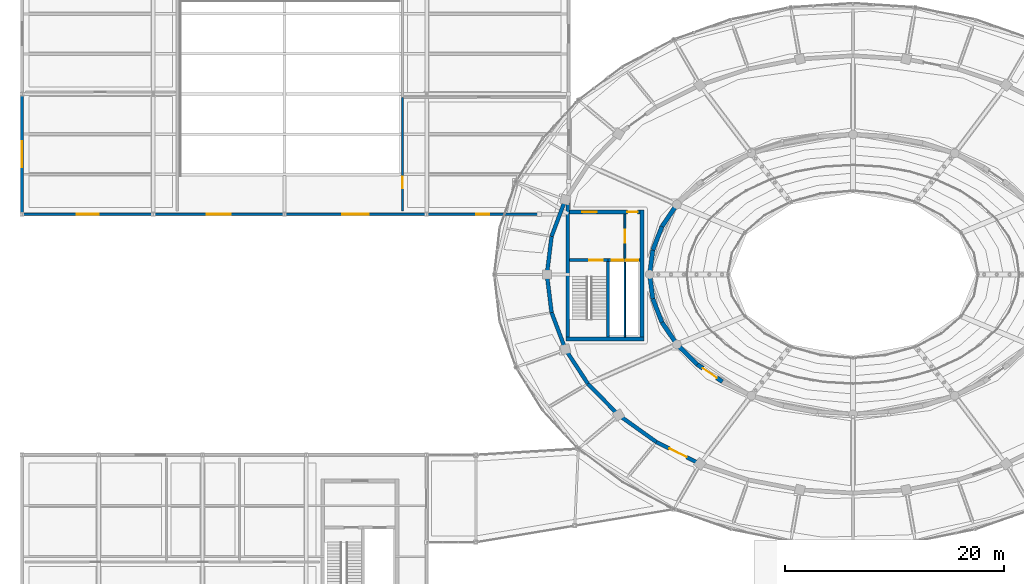
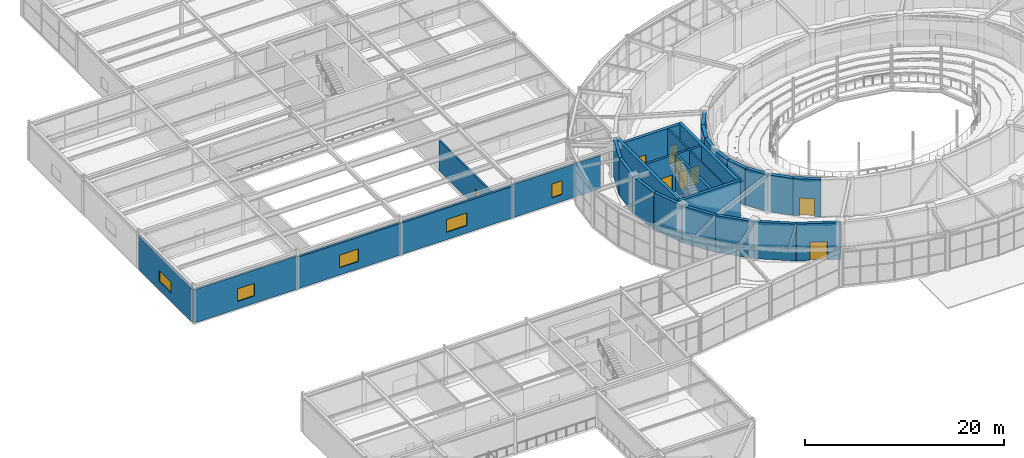
# One storey, part 78 of 100: 31 walls, 9 doors, 5 windows, 14 openings.
"""IFC4 building model written with IfcOpenShell, lengths in metres."""

import ifcopenshell
import ifcopenshell.guid

model = None  # the IFC model being written
_history = None  # IfcOwnerHistory: only IFC2X3 demands one
_inside = {}  # id of a spatial element -> (the spatial element, [elements in it])
_under = {}  # id of a project, library or spatial element -> (it, [spatial elements below it])
_declared = {}  # id of a project -> (the project, [libraries it declares])
_typed = {}  # id of a type object -> (the type object, [elements of that type])
_made_of = {}  # id of a material, layer set ... -> (it, [elements and type objects made of it])


def new_model(schema):
    """Start an empty IFC model of exactly this schema.

    Asked for "IFC4X3", IfcOpenShell would pick the latest addendum, in which some entities
    have other attributes; the version numbers below select the first issue.
    IFC2X3 requires an IfcOwnerHistory on every rooted entity: one is made here for all.
    """
    global model, _history
    if schema == "IFC4X3":
        model = ifcopenshell.file(schema_version=(4, 3, 0, 0))
    else:
        model = ifcopenshell.file(schema=schema)
    _inside.clear()
    _under.clear()
    _declared.clear()
    _typed.clear()
    _made_of.clear()
    _history = None
    if model.schema == "IFC2X3":
        org = make("IfcOrganization", Name="unknown")
        user = make(
            "IfcPersonAndOrganization",
            ThePerson=make("IfcPerson", FamilyName="unknown"),
            TheOrganization=org,
        )
        app = make(
            "IfcApplication",
            ApplicationDeveloper=org,
            Version="unknown",
            ApplicationFullName="unknown",
            ApplicationIdentifier="unknown",
        )
        _history = make(
            "IfcOwnerHistory",
            OwningUser=user,
            OwningApplication=app,
            ChangeAction="ADDED",
            CreationDate=0,
        )
    return model


def make(cls, **values):
    """One entity of the class cls with the attributes given. An attribute that is None is left unset."""
    return model.create_entity(
        cls, **{name: value for name, value in values.items() if value is not None}
    )


def rooted(cls, **values):
    """An entity with a GlobalId (a new one), such as an element, a storey or a relation."""
    return make(cls, GlobalId=ifcopenshell.guid.new(), OwnerHistory=_history, **values)


def si_unit(unit_type, name, prefix=None):
    """IfcSIUnit, for example si_unit("LENGTHUNIT", "METRE", prefix="MILLI")."""
    return make("IfcSIUnit", UnitType=unit_type, Prefix=prefix, Name=name)


def assignment(units):
    """IfcUnitAssignment: the units of a project."""
    return None if units is None else make("IfcUnitAssignment", Units=units)


def point(xyz):
    """IfcCartesianPoint."""
    return None if xyz is None else make("IfcCartesianPoint", Coordinates=xyz)


def direction(xyz):
    """IfcDirection."""
    return None if xyz is None else make("IfcDirection", DirectionRatios=xyz)


def frame(location, z_axis=None, x_axis=None):
    """IfcAxis2Placement3D, a coordinate frame: its origin and axes. An axis left out is left unset."""
    return make(
        "IfcAxis2Placement3D",
        Location=point(location),
        Axis=direction(z_axis),
        RefDirection=direction(x_axis),
    )


def frame_2d(location, x_axis=None):
    """IfcAxis2Placement2D, a coordinate frame in the plane: its origin and x axis."""
    return make(
        "IfcAxis2Placement2D", Location=point(location), RefDirection=direction(x_axis)
    )


def origin():
    """The frame at (0, 0, 0) with its axes left unset."""
    return frame((0.0, 0.0, 0.0))


def place(relative_to, where):
    """IfcLocalPlacement: puts the frame where relative to a parent placement (None: the world)."""
    return make(
        "IfcLocalPlacement", PlacementRelTo=relative_to, RelativePlacement=where
    )


def context(
    kind, dimensions, precision=None, world=None, true_north=None, identifier=None
):
    """IfcGeometricRepresentationContext, for example the 3D "Model" context."""
    return make(
        "IfcGeometricRepresentationContext",
        ContextIdentifier=identifier,
        ContextType=kind,
        CoordinateSpaceDimension=dimensions,
        Precision=precision,
        WorldCoordinateSystem=world,
        TrueNorth=true_north,
    )


def subcontext(parent, identifier, kind, view, scale=None):
    """IfcGeometricRepresentationSubContext, for example "Body" below "Model"."""
    return make(
        "IfcGeometricRepresentationSubContext",
        ContextIdentifier=identifier,
        ContextType=kind,
        ParentContext=parent,
        TargetScale=scale,
        TargetView=view,
    )


def project(units=None, contexts=None):
    """IfcProject with its units and contexts."""
    return rooted(
        "IfcProject",
        Name="project",
        RepresentationContexts=contexts,
        UnitsInContext=assignment(units),
    )


def spatial(cls, under=None, at=None, **own):
    """A site, building, storey or space (cls), placed at a placement, below another one or the project."""
    s = rooted(cls, ObjectPlacement=at, **own)
    if under is not None:
        _under.setdefault(under.id(), (under, []))[1].append(s)
    return s


def profile(cls, at=None, kind="AREA", **sizes):
    """A parametric profile (cls). Its sizes go by their IFC names, for example OverallWidth=200.0."""
    return make(cls, ProfileType=kind, Position=at, **sizes)


def rectangle(**sizes):
    """IfcRectangleProfileDef."""
    return profile("IfcRectangleProfileDef", **sizes)


def extrude(swept, where, along, depth):
    """IfcExtrudedAreaSolid: the profile swept, set in the frame where, extruded along a direction by depth."""
    return make(
        "IfcExtrudedAreaSolid",
        SweptArea=swept,
        Position=where,
        ExtrudedDirection=direction(along),
        Depth=depth,
    )


def shape(context_of_items, identifier, shape_type, items):
    """IfcShapeRepresentation: the items that make up one representation, for example the "Body"."""
    return make(
        "IfcShapeRepresentation",
        ContextOfItems=context_of_items,
        RepresentationIdentifier=identifier,
        RepresentationType=shape_type,
        Items=items,
    )


def material(Name=None, Category=None):
    """IfcMaterial."""
    return make("IfcMaterial", Name=Name, Category=Category)


def layer(
    of_material, thickness, ventilated=None, Name=None, Category=None, Priority=None
):
    """IfcMaterialLayer: one layer of a wall or slab, of a material (None: an air gap)."""
    return make(
        "IfcMaterialLayer",
        Material=of_material,
        LayerThickness=thickness,
        IsVentilated=ventilated,
        Name=Name,
        Category=Category,
        Priority=Priority,
    )


def layer_set(layers, Name=None):
    """IfcMaterialLayerSet."""
    return make("IfcMaterialLayerSet", MaterialLayers=layers, LayerSetName=Name)


def made_of(thing, what):
    """Note that an element or type object is made of a material, layer set ...; save() writes the relation."""
    if what is not None:
        _made_of.setdefault(what.id(), (what, []))[1].append(thing)
    return thing


def type_object(cls, material=None, **own):
    """A type object (cls), such as IfcWallType, which elements share."""
    return made_of(rooted(cls, **own), material)


def element(
    cls,
    number,
    at=None,
    inside=None,
    cuts=None,
    type_object=None,
    material=None,
    context=None,
    identifier="Body",
    shape_type=None,
    held_by="IfcProductDefinitionShape",
    body=None,
    shapes=None,
    **own,
):
    """One element of the class cls, such as IfcWall. Its Tag is "e" and its number.

    at: its placement. inside: the storey or other place that contains it. cuts: it is an
    opening in that element (IfcRelVoidsElement). A single representation is given by context,
    identifier, shape_type and body (its items); several are given by shapes. held_by: the class
    of the entity that holds the representations. save() writes the other relations.
    """
    e = rooted(cls, Tag="e%d" % number, ObjectPlacement=at, **own)
    if body is not None:
        shapes = [shape(context, identifier, shape_type, body)]
    if shapes is not None:
        e.Representation = make(held_by, Representations=shapes)
    if inside is not None:
        _inside.setdefault(inside.id(), (inside, []))[1].append(e)
    if cuts is not None:
        rooted(
            "IfcRelVoidsElement", RelatingBuildingElement=cuts, RelatedOpeningElement=e
        )
    if type_object is not None:
        _typed.setdefault(type_object.id(), (type_object, []))[1].append(e)
    return made_of(e, material)


def fill(opening, filler):
    """IfcRelFillsElement: the door or window that sits in an opening."""
    return rooted(
        "IfcRelFillsElement",
        RelatingOpeningElement=opening,
        RelatedBuildingElement=filler,
    )


def aggregate(whole, parts):
    """IfcRelAggregates: a whole, such as a stair, and the parts it consists of."""
    return rooted("IfcRelAggregates", RelatingObject=whole, RelatedObjects=parts)


def save(model, path):
    """Write the relations noted so far, then the file.

    IfcRelAggregates (storeys below a building ...), IfcRelContainedInSpatialStructure (elements
    in a storey), IfcRelDefinesByType, IfcRelAssociatesMaterial and IfcRelDeclares: one each for
    every whole, place, type object, material and project.
    """
    for whole, parts in _under.values():
        aggregate(whole, parts)
    for where, things in _inside.values():
        rooted(
            "IfcRelContainedInSpatialStructure",
            RelatedElements=things,
            RelatingStructure=where,
        )
    for kind, things in _typed.values():
        rooted("IfcRelDefinesByType", RelatedObjects=things, RelatingType=kind)
    for what, things in _made_of.values():
        rooted("IfcRelAssociatesMaterial", RelatedObjects=things, RelatingMaterial=what)
    for by, libraries in _declared.values():
        rooted("IfcRelDeclares", RelatingContext=by, RelatedDefinitions=libraries)
    model.write(path)


model = new_model("IFC4")

# Units and contexts
model_context = context("Model", 3, precision=1e-05, world=origin(), true_north=direction((0.0, 1.0)))
body_context = subcontext(model_context, "Body", "Model", "MODEL_VIEW")
ifc_project = project(units=[si_unit("LENGTHUNIT", "METRE"), si_unit("AREAUNIT", "SQUARE_METRE"), si_unit("VOLUMEUNIT", "CUBIC_METRE"), si_unit("PLANEANGLEUNIT", "RADIAN"), si_unit("MASSUNIT", "GRAM", prefix="KILO")], contexts=[model_context])

# Site, building, storey
site_placement = place(None, origin())
site = spatial("IfcSite", under=ifc_project, at=site_placement, CompositionType="ELEMENT")
building_placement = place(site_placement, origin())
building = spatial("IfcBuilding", under=site, at=building_placement, Name="Tarnveldt Headland Concert Hall", CompositionType="ELEMENT")
storey_placement = place(building_placement, frame((0.0, 0.0, 4.800048828125)))
storey = spatial("IfcBuildingStorey", under=building, at=storey_placement, Name="L01", CompositionType="ELEMENT", Elevation=4.800048828125)

# Walls
ifc_material_1 = material(Name="Concrete C40/50", Category="concrete")
ifc_layer_1 = layer(ifc_material_1, 0.39990234375, Name="Concrete C40/50", Category="concrete")
ifc_layer_set_1 = layer_set([ifc_layer_1], Name="Concrete C40/50")
wall_type_1 = type_object("IfcWallType", Name="WL-AC400", PredefinedType="SOLIDWALL", material=ifc_layer_set_1)
wall_1_placement = place(storey_placement, frame((67.391845703125, 60.89990234375, 0.0), z_axis=(0.0, 0.0, 1.0), x_axis=(-0.560958648975, -0.827843822312, 0.0)))
element("IfcWall", 1, at=wall_1_placement, inside=storey, type_object=wall_type_1, Name="Acoustic inner box wall L01-16", PredefinedType="SOLIDWALL", context=body_context, shape_type="SweptSolid", body=[
    extrude(rectangle(XDim=2.4423828125, YDim=0.39990234375, at=frame_2d((1.22119140625, 0.0))), origin(), (0.0, 0.0, 1.0), 4.5400390625),
])
wall_2_placement = place(storey_placement, frame((66.021728515625, 58.8779296875, 0.0), z_axis=(0.0, 0.0, 1.0), x_axis=(-0.362802811216, -0.931865934657, 0.0)))
element("IfcWall", 2, at=wall_2_placement, inside=storey, type_object=wall_type_1, Name="Acoustic inner box wall L01-17", PredefinedType="SOLIDWALL", context=body_context, shape_type="SweptSolid", body=[
    extrude(rectangle(XDim=2.312744140625, YDim=0.39990234375, at=frame_2d((1.15625, 0.0))), origin(), (0.0, 0.0, 1.0), 4.5400390625),
])
for number, where, z_axis, x_axis, name in (
    (3, (65.1826171875, 56.72265625, 0.0), (0.0, 0.0, 1.0), (-0.126180195213, -0.992007337844, 0.0), "Acoustic inner box wall L01-18"),
    (4, (64.89990234375, 54.5, 0.0), (0.0, 0.0, 1.0), (0.126180195213, -0.992007337844, 0.0), "Acoustic inner box wall L01-19"),
):
    element("IfcWall", number, at=place(storey_placement, frame(where, z_axis=z_axis, x_axis=x_axis)), inside=storey, type_object=wall_type_1, Name=name, PredefinedType="SOLIDWALL", context=body_context, shape_type="SweptSolid", body=[
        extrude(rectangle(XDim=2.240478515625, YDim=0.39990234375, at=frame_2d((1.1201171875, 0.0))), origin(), (0.0, 0.0, 1.0), 4.5400390625),
    ])
wall_3_placement = place(storey_placement, frame((65.1826171875, 52.27734375, 0.0), z_axis=(0.0, 0.0, 1.0), x_axis=(0.362802811216, -0.931865934657, 0.0)))
element("IfcWall", 5, at=wall_3_placement, inside=storey, type_object=wall_type_1, Name="Acoustic inner box wall L01-20", PredefinedType="SOLIDWALL", context=body_context, shape_type="SweptSolid", body=[
    extrude(rectangle(XDim=2.312744140625, YDim=0.39990234375, at=frame_2d((1.15625, 0.0))), origin(), (0.0, 0.0, 1.0), 4.5400390625),
])
wall_4_placement = place(storey_placement, frame((66.021728515625, 50.1220703125, 0.0), z_axis=(0.0, 0.0, 1.0), x_axis=(0.560958648975, -0.827843822312, 0.0)))
element("IfcWall", 6, at=wall_4_placement, inside=storey, type_object=wall_type_1, Name="Acoustic inner box wall L01-21", PredefinedType="SOLIDWALL", context=body_context, shape_type="SweptSolid", body=[
    extrude(rectangle(XDim=2.4423828125, YDim=0.39990234375, at=frame_2d((1.22119140625, 0.0))), origin(), (0.0, 0.0, 1.0), 4.5400390625),
])
wall_5_placement = place(storey_placement, frame((67.391845703125, 48.10009765625, 0.0), z_axis=(0.0, 0.0, 1.0), x_axis=(0.713212431679, -0.700947949065, 0.0)))
element("IfcWall", 7, at=wall_5_placement, inside=storey, type_object=wall_type_1, Name="Acoustic inner box wall L01-22", PredefinedType="SOLIDWALL", context=body_context, shape_type="SweptSolid", body=[
    extrude(rectangle(XDim=2.607666015625, YDim=0.39990234375, at=frame_2d((1.3037109375, 0.0))), origin(), (0.0, 0.0, 1.0), 4.5400390625),
])

# Wall, opening, door
wall_6_placement = place(storey_placement, frame((69.251708984375, 46.272216796875, 0.0), z_axis=(0.0, 0.0, 1.0), x_axis=(0.823780742291, -0.566908536388, 0.0)))
wall_6 = element("IfcWall", 8, at=wall_6_placement, inside=storey, type_object=wall_type_1, Name="Acoustic inner box wall L01-23", PredefinedType="SOLIDWALL", context=body_context, shape_type="SweptSolid", body=[
    extrude(rectangle(XDim=2.782958984375, YDim=0.39990234375, at=frame_2d((1.3916015625, 0.0))), origin(), (0.0, 0.0, 1.0), 4.5400390625),
])
opening_1_placement = place(wall_6_placement, frame((0.616455078125, 0.0, 0.0)))
opening_1 = element("IfcOpeningElement", 9, at=opening_1_placement, cuts=wall_6, Name="Opening AD-I035", PredefinedType="OPENING", context=body_context, shape_type="SweptSolid", body=[
    extrude(rectangle(XDim=1.550048828125, YDim=2.179931640625, at=frame_2d((0.77490234375, 1.08984375))), frame((0.0, 0.2099609375, 0.0), z_axis=(0.0, -1.0, 0.0), x_axis=(1.0, 0.0, 0.0)), (0.0, 0.0, 1.0), 0.419921875),
])
ifc_material_2 = material(Name="Treated East African mvule hardwood", Category="wood")
door_type_1 = type_object("IfcDoorType", Name="DR-AC155", OperationType="NOTDEFINED", PredefinedType="DOOR", material=ifc_material_2)
door_1_placement = place(opening_1_placement, origin())
door_1 = element("IfcDoor", 10, at=door_1_placement, inside=storey, type_object=door_type_1, Name="Auditorium sound-lock vomitory door L01-23", OperationType="SINGLE_SWING_LEFT", OverallHeight=2.179931640625, OverallWidth=1.550048828125, PredefinedType="DOOR", context=body_context, shape_type="SweptSolid", body=[
    extrude(rectangle(XDim=1.550048828125, YDim=2.179931640625, at=frame_2d((0.77490234375, 1.08984375))), frame((0.0, 0.02490234375, 0.0), z_axis=(0.0, -1.0, 0.0), x_axis=(1.0, 0.0, 0.0)), (0.0, 0.0, 1.0), 0.050048828125),
])
fill(opening_1, door_1)

# Walls
ifc_layer_2 = layer(ifc_material_1, 0.35009765625, Name="Concrete C40/50", Category="concrete")
ifc_layer_set_2 = layer_set([ifc_layer_2], Name="Concrete C40/50")
wall_type_2 = type_object("IfcWallType", Name="WL-CR350", PredefinedType="SHEAR", material=ifc_layer_set_2)
wall_7_placement = place(storey_placement, frame((57.188720703125, 61.34033203125, 0.0), z_axis=(0.0, 0.0, 1.0), x_axis=(-0.351279653979, -0.936270583058, 0.0)))
element("IfcWall", 11, at=wall_7_placement, inside=storey, type_object=wall_type_2, Name="Symphony drum shear wall L01-17", PredefinedType="SHEAR", context=body_context, shape_type="SweptSolid", body=[
    extrude(rectangle(XDim=3.5966796875, YDim=0.35009765625, at=frame_2d((1.79833984375, 0.0))), origin(), (0.0, 0.0, 1.0), 4.5400390625),
])
for number, where, z_axis, x_axis, name in (
    (12, (55.92529296875, 57.972900390625, 0.0), (0.0, 0.0, 1.0), (-0.121552414401, -0.99258501427, 0.0), "Symphony drum shear wall L01-18"),
    (13, (55.5, 54.5, 0.0), (0.0, 0.0, 1.0), (0.121552414401, -0.99258501427, 0.0), "Symphony drum shear wall L01-19"),
):
    element("IfcWall", number, at=place(storey_placement, frame(where, z_axis=z_axis, x_axis=x_axis)), inside=storey, type_object=wall_type_2, Name=name, PredefinedType="SHEAR", context=body_context, shape_type="SweptSolid", body=[
        extrude(rectangle(XDim=3.498779296875, YDim=0.35009765625, at=frame_2d((1.74951171875, 0.0))), origin(), (0.0, 0.0, 1.0), 4.5400390625),
    ])
wall_8_placement = place(storey_placement, frame((55.92529296875, 51.027099609375, 0.0), z_axis=(0.0, 0.0, 1.0), x_axis=(0.351279653979, -0.936270583058, 0.0)))
element("IfcWall", 14, at=wall_8_placement, inside=storey, type_object=wall_type_2, Name="Symphony drum shear wall L01-20", PredefinedType="SHEAR", context=body_context, shape_type="SweptSolid", body=[
    extrude(rectangle(XDim=3.5966796875, YDim=0.35009765625, at=frame_2d((1.79833984375, 0.0))), origin(), (0.0, 0.0, 1.0), 4.5400390625),
])
wall_9_placement = place(storey_placement, frame((57.188720703125, 47.65966796875, 0.0), z_axis=(0.0, 0.0, 1.0), x_axis=(0.546611158382, -0.837386554425, 0.0)))
element("IfcWall", 15, at=wall_9_placement, inside=storey, type_object=wall_type_2, Name="Symphony drum shear wall L01-21", PredefinedType="SHEAR", context=body_context, shape_type="SweptSolid", body=[
    extrude(rectangle(XDim=3.773193359375, YDim=0.35009765625, at=frame_2d((1.88671875, 0.0))), origin(), (0.0, 0.0, 1.0), 4.5400390625),
])
wall_10_placement = place(storey_placement, frame((59.251220703125, 44.5, 0.0), z_axis=(0.0, 0.0, 1.0), x_axis=(0.700051268358, -0.714092586203, 0.0)))
element("IfcWall", 16, at=wall_10_placement, inside=storey, type_object=wall_type_2, Name="Symphony drum shear wall L01-22", PredefinedType="SHEAR", context=body_context, shape_type="SweptSolid", body=[
    extrude(rectangle(XDim=3.9990234375, YDim=0.35009765625, at=frame_2d((1.99951171875, 0.0))), origin(), (0.0, 0.0, 1.0), 4.5400390625),
])
wall_11_placement = place(storey_placement, frame((62.05078125, 41.644287109375, 0.0), z_axis=(0.0, 0.0, 1.0), x_axis=(0.813737360708, -0.581232748378, 0.0)))
element("IfcWall", 17, at=wall_11_placement, inside=storey, type_object=wall_type_2, Name="Symphony drum shear wall L01-23", PredefinedType="SHEAR", context=body_context, shape_type="SweptSolid", body=[
    extrude(rectangle(XDim=4.2412109375, YDim=0.35009765625, at=frame_2d((2.12060546875, 0.0))), origin(), (0.0, 0.0, 1.0), 4.5400390625),
])

# Wall, opening, door
wall_12_placement = place(storey_placement, frame((65.501953125, 39.17919921875, 0.0), z_axis=(0.0, 0.0, 1.0), x_axis=(0.894361644392, -0.447344664705, 0.0)))
wall_12 = element("IfcWall", 18, at=wall_12_placement, inside=storey, type_object=wall_type_2, Name="Symphony drum shear wall L01-24", PredefinedType="SHEAR", context=body_context, shape_type="SweptSolid", body=[
    extrude(rectangle(XDim=4.47021484375, YDim=0.35009765625, at=frame_2d((2.235107421875, 0.0))), origin(), (0.0, 0.0, 1.0), 4.5400390625),
])
opening_2_placement = place(wall_12_placement, frame((1.360107421875, 0.0, 0.0)))
opening_2 = element("IfcOpeningElement", 19, at=opening_2_placement, cuts=wall_12, Name="Opening AD-O016", PredefinedType="OPENING", context=body_context, shape_type="SweptSolid", body=[
    extrude(rectangle(XDim=1.75, YDim=2.25, at=frame_2d((0.875, 1.125))), frame((0.0, 0.18505859375, 0.0), z_axis=(0.0, -1.0, 0.0), x_axis=(1.0, 0.0, 0.0)), (0.0, 0.0, 1.0), 0.3701171875),
])
door_type_2 = type_object("IfcDoorType", Name="DR-AC175", OperationType="NOTDEFINED", PredefinedType="DOOR", material=ifc_material_2)
door_2_placement = place(opening_2_placement, origin())
door_2 = element("IfcDoor", 20, at=door_2_placement, inside=storey, type_object=door_type_2, Name="Drum concourse acoustic door L01-24", OperationType="SINGLE_SWING_RIGHT", OverallHeight=2.25, OverallWidth=1.75, PredefinedType="DOOR", context=body_context, shape_type="SweptSolid", body=[
    extrude(rectangle(XDim=1.75, YDim=2.25, at=frame_2d((0.875, 1.125))), frame((0.0, 0.02490234375, 0.0), z_axis=(0.0, -1.0, 0.0), x_axis=(1.0, 0.0, 0.0)), (0.0, 0.0, 1.0), 0.050048828125),
])
fill(opening_2, door_2)

# Wall
wall_13_placement = place(storey_placement, frame((57.22509765625, 48.60009765625, 0.0), z_axis=(0.0, 0.0, 1.0), x_axis=(1.0, 0.0, 0.0)))
element("IfcWall", 21, at=wall_13_placement, inside=storey, type_object=wall_type_2, Name="Core C1 south shear wall L01", PredefinedType="SHEAR", context=body_context, shape_type="SweptSolid", body=[
    extrude(rectangle(XDim=7.14990234375, YDim=0.35009765625, at=frame_2d((3.574951171875, 0.0))), origin(), (0.0, 0.0, 1.0), 4.5400390625),
])

# Wall, openings, doors
wall_14_placement = place(storey_placement, frame((57.574951171875, 60.199951171875, 0.0), z_axis=(0.0, 0.0, 1.0), x_axis=(1.0, 0.0, 0.0)))
wall_14 = element("IfcWall", 22, at=wall_14_placement, inside=storey, type_object=wall_type_2, Name="Core C1 north shear wall L01", PredefinedType="SHEAR", context=body_context, shape_type="SweptSolid", body=[
    extrude(rectangle(XDim=6.449951171875, YDim=0.35009765625, at=frame_2d((3.22509765625, 0.0))), origin(), (0.0, 0.0, 1.0), 4.5400390625),
])
opening_3_placement = place(wall_14_placement, frame((1.14990234375, 0.0, 0.0)))
opening_3 = element("IfcOpeningElement", 23, at=opening_3_placement, cuts=wall_14, Name="Opening FFD-C1-L01", PredefinedType="OPENING", context=body_context, shape_type="SweptSolid", body=[
    extrude(rectangle(XDim=1.35009765625, YDim=2.199951171875, at=frame_2d((0.675048828125, 1.10009765625))), frame((0.0, 0.18505859375, 0.0), z_axis=(0.0, -1.0, 0.0), x_axis=(1.0, 0.0, 0.0)), (0.0, 0.0, 1.0), 0.3701171875),
])
opening_4_placement = place(wall_14_placement, frame((5.280029296875, 0.0, 0.0)))
opening_4 = element("IfcOpeningElement", 24, at=opening_4_placement, cuts=wall_14, Name="Opening LBD-C1-L01", PredefinedType="OPENING", context=body_context, shape_type="SweptSolid", body=[
    extrude(rectangle(XDim=0.949951171875, YDim=2.1201171875, at=frame_2d((0.47509765625, 1.06005859375))), frame((0.0, 0.18505859375, 0.0), z_axis=(0.0, -1.0, 0.0), x_axis=(1.0, 0.0, 0.0)), (0.0, 0.0, 1.0), 0.3701171875),
])
ifc_material_3 = material(Name="Galvanised painted steel sheet", Category="steel")
door_type_3 = type_object("IfcDoorType", Name="DR-FF135", OperationType="NOTDEFINED", PredefinedType="DOOR", material=ifc_material_3)
door_3_placement = place(opening_3_placement, origin())
door_3 = element("IfcDoor", 25, at=door_3_placement, inside=storey, type_object=door_type_3, Name="Core C1 firefighting lobby entrance door L01", OperationType="SINGLE_SWING_RIGHT", OverallHeight=2.199951171875, OverallWidth=1.35009765625, PredefinedType="DOOR", context=body_context, shape_type="SweptSolid", body=[
    extrude(rectangle(XDim=1.35009765625, YDim=2.199951171875, at=frame_2d((0.675048828125, 1.10009765625))), frame((0.0, 0.02490234375, 0.0), z_axis=(0.0, -1.0, 0.0), x_axis=(1.0, 0.0, 0.0)), (0.0, 0.0, 1.0), 0.050048828125),
])
fill(opening_3, door_3)
door_type_4 = type_object("IfcDoorType", Name="DR-RM095", OperationType="NOTDEFINED", PredefinedType="DOOR", material=ifc_material_2)
door_4_placement = place(opening_4_placement, origin())
door_4 = element("IfcDoor", 26, at=door_4_placement, inside=storey, type_object=door_type_4, Name="Core C1 lift lobby entrance door L01", OperationType="SINGLE_SWING_LEFT", OverallHeight=2.1201171875, OverallWidth=0.949951171875, PredefinedType="DOOR", context=body_context, shape_type="SweptSolid", body=[
    extrude(rectangle(XDim=0.949951171875, YDim=2.1201171875, at=frame_2d((0.47509765625, 1.06005859375))), frame((0.0, 0.02490234375, 0.0), z_axis=(0.0, -1.0, 0.0), x_axis=(1.0, 0.0, 0.0)), (0.0, 0.0, 1.0), 0.050048828125),
])
fill(opening_4, door_4)

# Walls
wall_15_placement = place(storey_placement, frame((57.39990234375, 48.77490234375, 0.0), z_axis=(0.0, 0.0, 1.0), x_axis=(0.0, 1.0, 0.0)))
element("IfcWall", 27, at=wall_15_placement, inside=storey, type_object=wall_type_2, Name="Core C1 west shear wall L01", PredefinedType="SHEAR", context=body_context, shape_type="SweptSolid", body=[
    extrude(rectangle(XDim=12.565185546875, YDim=0.35009765625, at=frame_2d((6.28271484375, 0.0))), origin(), (0.0, 0.0, 1.0), 4.5400390625),
])
wall_16_placement = place(storey_placement, frame((64.199951171875, 48.77490234375, 0.0), z_axis=(0.0, 0.0, 1.0), x_axis=(0.0, 1.0, 0.0)))
element("IfcWall", 28, at=wall_16_placement, inside=storey, type_object=wall_type_2, Name="Core C1 east shear wall L01", PredefinedType="SHEAR", context=body_context, shape_type="SweptSolid", body=[
    extrude(rectangle(XDim=11.60009765625, YDim=0.35009765625, at=frame_2d((5.800048828125, 0.0))), origin(), (0.0, 0.0, 1.0), 4.5400390625),
])

# Wall, opening, window
ifc_material_4 = material(Name="Coral-toned precast concrete C40/50", Category="concrete")
ifc_layer_3 = layer(ifc_material_4, 0.25, Name="Coral-toned precast concrete C40/50", Category="concrete")
ifc_layer_set_3 = layer_set([ifc_layer_3], Name="Coral-toned precast concrete C40/50")
wall_type_3 = type_object("IfcWallType", Name="WL-EX250", PredefinedType="SOLIDWALL", material=ifc_layer_set_3)
wall_17_placement = place(storey_placement, frame((19.47998046875, 60.0, 0.0), z_axis=(0.0, 0.0, 1.0), x_axis=(-1.0, 0.0, 0.0)))
wall_17 = element("IfcWall", 29, at=wall_17_placement, inside=storey, type_object=wall_type_3, Name="External precast wall L01-280", PredefinedType="SOLIDWALL", context=body_context, shape_type="SweptSolid", body=[
    extrude(rectangle(XDim=11.9599609375, YDim=0.25, at=frame_2d((5.97998046875, 0.0))), origin(), (0.0, 0.0, 1.0), 4.077880859375),
])
opening_5_placement = place(wall_17_placement, frame((4.97998046875, 0.0, 0.89990234375)))
opening_5 = element("IfcOpeningElement", 30, at=opening_5_placement, cuts=wall_17, Name="Opening W-R116", PredefinedType="OPENING", context=body_context, shape_type="SweptSolid", body=[
    extrude(rectangle(XDim=2.0, YDim=1.550048828125, at=frame_2d((1.0, 0.77490234375))), frame((0.0, 0.135009765625, 0.0), z_axis=(0.0, -1.0, 0.0), x_axis=(1.0, 0.0, 0.0)), (0.0, 0.0, 1.0), 0.27001953125),
])
ifc_material_5 = material(Name="Acoustic laminated low-iron double glazing", Category="glass")
window_type_1 = type_object("IfcWindowType", Name="WN-06", PartitioningType="SINGLE_PANEL", PredefinedType="WINDOW", material=ifc_material_5)
window_1_placement = place(opening_5_placement, origin())
window_1 = element("IfcWindow", 31, at=window_1_placement, inside=storey, type_object=window_type_1, Name="Rehearsal wing acoustic window L01-S1", OverallHeight=1.550048828125, OverallWidth=2.0, PartitioningType="SINGLE_PANEL", PredefinedType="WINDOW", context=body_context, shape_type="SweptSolid", body=[
    extrude(rectangle(XDim=2.0, YDim=1.550048828125, at=frame_2d((1.0, 0.77490234375))), frame((0.0, 0.030029296875, 0.0), z_axis=(0.0, -1.0, 0.0), x_axis=(1.0, 0.0, 0.0)), (0.0, 0.0, 1.0), 0.06005859375),
])
fill(opening_5, window_1)

wall_18_placement = place(storey_placement, frame((31.47998046875, 60.0, 0.0), z_axis=(0.0, 0.0, 1.0), x_axis=(-1.0, 0.0, 0.0)))
wall_18 = element("IfcWall", 32, at=wall_18_placement, inside=storey, type_object=wall_type_3, Name="External precast wall L01-281", PredefinedType="SOLIDWALL", context=body_context, shape_type="SweptSolid", body=[
    extrude(rectangle(XDim=11.9599609375, YDim=0.25, at=frame_2d((5.97998046875, 0.0))), origin(), (0.0, 0.0, 1.0), 3.8779296875),
])
opening_6_placement = place(wall_18_placement, frame((4.8798828125, 0.0, 0.89990234375)))
opening_6 = element("IfcOpeningElement", 33, at=opening_6_placement, cuts=wall_18, Name="Opening W-R117", PredefinedType="OPENING", context=body_context, shape_type="SweptSolid", body=[
    extrude(rectangle(XDim=2.199951171875, YDim=1.550048828125, at=frame_2d((1.10009765625, 0.77490234375))), frame((0.0, 0.135009765625, 0.0), z_axis=(0.0, -1.0, 0.0), x_axis=(1.0, 0.0, 0.0)), (0.0, 0.0, 1.0), 0.27001953125),
])
window_type_2 = type_object("IfcWindowType", Name="WN-07", PartitioningType="SINGLE_PANEL", PredefinedType="WINDOW", material=ifc_material_5)
window_2_placement = place(opening_6_placement, origin())
window_2 = element("IfcWindow", 34, at=window_2_placement, inside=storey, type_object=window_type_2, Name="Rehearsal wing acoustic window L01-S2", OverallHeight=1.550048828125, OverallWidth=2.199951171875, PartitioningType="SINGLE_PANEL", PredefinedType="WINDOW", context=body_context, shape_type="SweptSolid", body=[
    extrude(rectangle(XDim=2.199951171875, YDim=1.550048828125, at=frame_2d((1.10009765625, 0.77490234375))), frame((0.0, 0.030029296875, 0.0), z_axis=(0.0, -1.0, 0.0), x_axis=(1.0, 0.0, 0.0)), (0.0, 0.0, 1.0), 0.06005859375),
])
fill(opening_6, window_2)

wall_19_placement = place(storey_placement, frame((44.47998046875, 60.0, 0.0), z_axis=(0.0, 0.0, 1.0), x_axis=(-1.0, 0.0, 0.0)))
wall_19 = element("IfcWall", 35, at=wall_19_placement, inside=storey, type_object=wall_type_3, Name="External precast wall L01-282", PredefinedType="SOLIDWALL", context=body_context, shape_type="SweptSolid", body=[
    extrude(rectangle(XDim=12.9599609375, YDim=0.25, at=frame_2d((6.47998046875, 0.0))), origin(), (0.0, 0.0, 1.0), 3.8779296875),
])
opening_7_placement = place(wall_19_placement, frame((5.280029296875, 0.0, 0.89990234375)))
opening_7 = element("IfcOpeningElement", 36, at=opening_7_placement, cuts=wall_19, Name="Opening W-R118", PredefinedType="OPENING", context=body_context, shape_type="SweptSolid", body=[
    extrude(rectangle(XDim=2.39990234375, YDim=1.550048828125, at=frame_2d((1.199951171875, 0.77490234375))), frame((0.0, 0.135009765625, 0.0), z_axis=(0.0, -1.0, 0.0), x_axis=(1.0, 0.0, 0.0)), (0.0, 0.0, 1.0), 0.27001953125),
])
window_type_3 = type_object("IfcWindowType", Name="WN-08", PartitioningType="SINGLE_PANEL", PredefinedType="WINDOW", material=ifc_material_5)
window_3_placement = place(opening_7_placement, origin())
window_3 = element("IfcWindow", 37, at=window_3_placement, inside=storey, type_object=window_type_3, Name="Rehearsal wing acoustic window L01-S3", OverallHeight=1.550048828125, OverallWidth=2.39990234375, PartitioningType="SINGLE_PANEL", PredefinedType="WINDOW", context=body_context, shape_type="SweptSolid", body=[
    extrude(rectangle(XDim=2.39990234375, YDim=1.550048828125, at=frame_2d((1.199951171875, 0.77490234375))), frame((0.0, 0.030029296875, 0.0), z_axis=(0.0, -1.0, 0.0), x_axis=(1.0, 0.0, 0.0)), (0.0, 0.0, 1.0), 0.06005859375),
])
fill(opening_7, window_3)

wall_20_placement = place(storey_placement, frame((54.780029296875, 60.0, 0.0), z_axis=(0.0, 0.0, 1.0), x_axis=(-1.0, 0.0, 0.0)))
wall_20 = element("IfcWall", 38, at=wall_20_placement, inside=storey, type_object=wall_type_3, Name="External precast wall L01-283", PredefinedType="SOLIDWALL", context=body_context, shape_type="SweptSolid", body=[
    extrude(rectangle(XDim=10.260009765625, YDim=0.25, at=frame_2d((5.1298828125, 0.0))), origin(), (0.0, 0.0, 1.0), 4.077880859375),
])
opening_8_placement = place(wall_20_placement, frame((4.530029296875, 0.0, 0.85009765625)))
opening_8 = element("IfcOpeningElement", 39, at=opening_8_placement, cuts=wall_20, Name="Opening W-R119", PredefinedType="OPENING", context=body_context, shape_type="SweptSolid", body=[
    extrude(rectangle(XDim=1.199951171875, YDim=1.699951171875, at=frame_2d((0.60009765625, 0.85009765625))), frame((0.0, 0.135009765625, 0.0), z_axis=(0.0, -1.0, 0.0), x_axis=(1.0, 0.0, 0.0)), (0.0, 0.0, 1.0), 0.27001953125),
])
window_type_4 = type_object("IfcWindowType", Name="WN-09", PartitioningType="SINGLE_PANEL", PredefinedType="WINDOW", material=ifc_material_5)
window_4_placement = place(opening_8_placement, origin())
window_4 = element("IfcWindow", 40, at=window_4_placement, inside=storey, type_object=window_type_4, Name="Rehearsal wing acoustic window L01-S4", OverallHeight=1.699951171875, OverallWidth=1.199951171875, PartitioningType="SINGLE_PANEL", PredefinedType="WINDOW", context=body_context, shape_type="SweptSolid", body=[
    extrude(rectangle(XDim=1.199951171875, YDim=1.699951171875, at=frame_2d((0.60009765625, 0.85009765625))), frame((0.0, 0.030029296875, 0.0), z_axis=(0.0, -1.0, 0.0), x_axis=(1.0, 0.0, 0.0)), (0.0, 0.0, 1.0), 0.06005859375),
])
fill(opening_8, window_4)

wall_21_placement = place(storey_placement, frame((7.5, 60.02001953125, 0.0), z_axis=(0.0, 0.0, 1.0), x_axis=(0.0, 1.0, 0.0)))
wall_21 = element("IfcWall", 41, at=wall_21_placement, inside=storey, type_object=wall_type_3, Name="External precast wall L01-295", PredefinedType="SOLIDWALL", context=body_context, shape_type="SweptSolid", body=[
    extrude(rectangle(XDim=10.9599609375, YDim=0.25, at=frame_2d((5.47998046875, 0.0))), origin(), (0.0, 0.0, 1.0), 4.077880859375),
])
opening_9_placement = place(wall_21_placement, frame((4.280029296875, 0.0, 1.050048828125)))
opening_9 = element("IfcOpeningElement", 42, at=opening_9_placement, cuts=wall_21, Name="Opening W-R130", PredefinedType="OPENING", context=body_context, shape_type="SweptSolid", body=[
    extrude(rectangle(XDim=2.39990234375, YDim=1.35009765625, at=frame_2d((1.199951171875, 0.675048828125))), frame((0.0, 0.135009765625, 0.0), z_axis=(0.0, -1.0, 0.0), x_axis=(1.0, 0.0, 0.0)), (0.0, 0.0, 1.0), 0.27001953125),
])
window_type_5 = type_object("IfcWindowType", Name="WN-20", PartitioningType="SINGLE_PANEL", PredefinedType="WINDOW", material=ifc_material_5)
window_5_placement = place(opening_9_placement, origin())
window_5 = element("IfcWindow", 43, at=window_5_placement, inside=storey, type_object=window_type_5, Name="Rehearsal wing acoustic window L01-W3", OverallHeight=1.35009765625, OverallWidth=2.39990234375, PartitioningType="SINGLE_PANEL", PredefinedType="WINDOW", context=body_context, shape_type="SweptSolid", body=[
    extrude(rectangle(XDim=2.39990234375, YDim=1.35009765625, at=frame_2d((1.199951171875, 0.675048828125))), frame((0.0, 0.030029296875, 0.0), z_axis=(0.0, -1.0, 0.0), x_axis=(1.0, 0.0, 0.0)), (0.0, 0.0, 1.0), 0.06005859375),
])
fill(opening_9, window_5)

# Wall
ifc_material_6 = material(Name="Acoustic multi-layer gypsum and mineral-wool partition", Category="gypsum")
ifc_layer_4 = layer(ifc_material_6, 0.14990234375, Name="Acoustic multi-layer gypsum and mineral-wool partition", Category="gypsum")
ifc_layer_set_4 = layer_set([ifc_layer_4], Name="Acoustic multi-layer gypsum and mineral-wool partition")
wall_type_4 = type_object("IfcWallType", Name="WL-PT150", PredefinedType="PARTITIONING", material=ifc_layer_set_4)
wall_22_placement = place(storey_placement, frame((62.632568359375, 48.77490234375, 0.0), z_axis=(0.0, 0.0, 1.0), x_axis=(0.0, 1.0, 0.0)))
element("IfcWall", 44, at=wall_22_placement, inside=storey, type_object=wall_type_4, Name="Core C1 twin lift divider L01", PredefinedType="PARTITIONING", context=body_context, shape_type="SweptSolid", body=[
    extrude(rectangle(XDim=6.8251953125, YDim=0.14990234375, at=frame_2d((3.41259765625, 0.0))), origin(), (0.0, 0.0, 1.0), 4.533935546875),
])

# Wall, opening, door
ifc_layer_5 = layer(ifc_material_6, 0.1650390625, Name="Acoustic multi-layer gypsum and mineral-wool partition", Category="gypsum")
ifc_layer_set_5 = layer_set([ifc_layer_5], Name="Acoustic multi-layer gypsum and mineral-wool partition")
wall_type_5 = type_object("IfcWallType", Name="WL-PT165", PredefinedType="PARTITIONING", material=ifc_layer_set_5)
wall_23_placement = place(storey_placement, frame((62.632568359375, 55.97998046875, 0.0), z_axis=(0.0, 0.0, 1.0), x_axis=(0.0, 1.0, 0.0)))
wall_23 = element("IfcWall", 45, at=wall_23_placement, inside=storey, type_object=wall_type_5, Name="Core C1 firefighting lobby wall L01", PredefinedType="PARTITIONING", context=body_context, shape_type="SweptSolid", body=[
    extrude(rectangle(XDim=4.0400390625, YDim=0.1650390625, at=frame_2d((2.02001953125, 0.0))), origin(), (0.0, 0.0, 1.0), 4.533935546875),
])
opening_10_placement = place(wall_23_placement, frame((1.419921875, 0.0, 0.0)))
opening_10 = element("IfcOpeningElement", 46, at=opening_10_placement, cuts=wall_23, Name="Opening FFD-C1I-L01", PredefinedType="OPENING", context=body_context, shape_type="SweptSolid", body=[
    extrude(rectangle(XDim=1.199951171875, YDim=2.14990234375, at=frame_2d((0.60009765625, 1.074951171875))), frame((0.0, 0.092529296875, 0.0), z_axis=(0.0, -1.0, 0.0), x_axis=(1.0, 0.0, 0.0)), (0.0, 0.0, 1.0), 0.18505859375),
])
door_type_5 = type_object("IfcDoorType", Name="DR-ST120", OperationType="NOTDEFINED", PredefinedType="DOOR", material=ifc_material_3)
door_5_placement = place(opening_10_placement, origin())
door_5 = element("IfcDoor", 47, at=door_5_placement, inside=storey, type_object=door_type_5, Name="Core C1 lobby interconnecting fire door L01", OperationType="SINGLE_SWING_LEFT", OverallHeight=2.14990234375, OverallWidth=1.199951171875, PredefinedType="DOOR", context=body_context, shape_type="SweptSolid", body=[
    extrude(rectangle(XDim=1.199951171875, YDim=2.14990234375, at=frame_2d((0.60009765625, 1.074951171875))), frame((0.0, 0.02490234375, 0.0), z_axis=(0.0, -1.0, 0.0), x_axis=(1.0, 0.0, 0.0)), (0.0, 0.0, 1.0), 0.050048828125),
])
fill(opening_10, door_5)

ifc_layer_6 = layer(ifc_material_6, 0.18505859375, Name="Acoustic multi-layer gypsum and mineral-wool partition", Category="gypsum")
ifc_layer_set_6 = layer_set([ifc_layer_6], Name="Acoustic multi-layer gypsum and mineral-wool partition")
wall_type_6 = type_object("IfcWallType", Name="WL-PT185", PredefinedType="PARTITIONING", material=ifc_layer_set_6)
wall_24_placement = place(storey_placement, frame((42.300048828125, 60.300048828125, 0.0), z_axis=(0.0, 0.0, 1.0), x_axis=(0.0, 1.0, 0.0)))
wall_24 = element("IfcWall", 48, at=wall_24_placement, inside=storey, type_object=wall_type_6, Name="Interior acoustic partition L01-79", PredefinedType="PARTITIONING", context=body_context, shape_type="SweptSolid", body=[
    extrude(rectangle(XDim=10.39990234375, YDim=0.18505859375, at=frame_2d((5.199951171875, 0.0))), origin(), (0.0, 0.0, 1.0), 3.72998046875),
])
opening_11_placement = place(wall_24_placement, frame((2.0859375, 0.0, 0.0)))
opening_11 = element("IfcOpeningElement", 49, at=opening_11_placement, cuts=wall_24, Name="Opening D-L01-103", PredefinedType="OPENING", context=body_context, shape_type="SweptSolid", body=[
    extrude(rectangle(XDim=1.050048828125, YDim=2.14990234375, at=frame_2d((0.52490234375, 1.074951171875))), frame((0.0, 0.1025390625, 0.0), z_axis=(0.0, -1.0, 0.0), x_axis=(1.0, 0.0, 0.0)), (0.0, 0.0, 1.0), 0.205078125),
])
door_type_6 = type_object("IfcDoorType", Name="DR-RM105", OperationType="NOTDEFINED", PredefinedType="DOOR", material=ifc_material_2)
door_6_placement = place(opening_11_placement, origin())
door_6 = element("IfcDoor", 50, at=door_6_placement, inside=storey, type_object=door_type_6, Name="Interior room door L01-103", OperationType="SINGLE_SWING_LEFT", OverallHeight=2.14990234375, OverallWidth=1.050048828125, PredefinedType="DOOR", context=body_context, shape_type="SweptSolid", body=[
    extrude(rectangle(XDim=1.050048828125, YDim=2.14990234375, at=frame_2d((0.52490234375, 1.074951171875))), frame((0.0, 0.02490234375, 0.0), z_axis=(0.0, -1.0, 0.0), x_axis=(1.0, 0.0, 0.0)), (0.0, 0.0, 1.0), 0.050048828125),
])
fill(opening_11, door_6)

# Wall
ifc_layer_7 = layer(ifc_material_1, 0.27490234375, Name="Concrete C40/50", Category="concrete")
ifc_layer_set_7 = layer_set([ifc_layer_7], Name="Concrete C40/50")
wall_type_7 = type_object("IfcWallType", Name="WL-SH275", PredefinedType="SHEAR", material=ifc_layer_set_7)
wall_25_placement = place(storey_placement, frame((61.10009765625, 48.77490234375, 0.0), z_axis=(0.0, 0.0, 1.0), x_axis=(0.0, 1.0, 0.0)))
element("IfcWall", 51, at=wall_25_placement, inside=storey, type_object=wall_type_7, Name="Core C1 shaft divider wall L01", PredefinedType="SHEAR", context=body_context, shape_type="SweptSolid", body=[
    extrude(rectangle(XDim=6.8876953125, YDim=0.27490234375, at=frame_2d((3.44384765625, 0.0))), origin(), (0.0, 0.0, 1.0), 4.5400390625),
])

# Wall, opening, door
wall_26_placement = place(storey_placement, frame((57.574951171875, 55.800048828125, 0.0), z_axis=(0.0, 0.0, 1.0), x_axis=(1.0, 0.0, 0.0)))
wall_26 = element("IfcWall", 52, at=wall_26_placement, inside=storey, type_object=wall_type_7, Name="Core C1 stair enclosure wall L01", PredefinedType="SHEAR", context=body_context, shape_type="SweptSolid", body=[
    extrude(rectangle(XDim=3.525146484375, YDim=0.27490234375, at=frame_2d((1.7626953125, 0.0))), origin(), (0.0, 0.0, 1.0), 4.5400390625),
])
opening_12_placement = place(wall_26_placement, frame((1.784912109375, 0.0, 0.0)))
opening_12 = element("IfcOpeningElement", 53, at=opening_12_placement, cuts=wall_26, Name="Opening SD-C1-L01", PredefinedType="OPENING", context=body_context, shape_type="SweptSolid", body=[
    extrude(rectangle(XDim=1.25, YDim=2.14990234375, at=frame_2d((0.625, 1.074951171875))), frame((0.0, 0.1474609375, 0.0), z_axis=(0.0, -1.0, 0.0), x_axis=(1.0, 0.0, 0.0)), (0.0, 0.0, 1.0), 0.294921875),
])
door_type_7 = type_object("IfcDoorType", Name="DR-ST125", OperationType="NOTDEFINED", PredefinedType="DOOR", material=ifc_material_3)
door_7_placement = place(opening_12_placement, origin())
door_7 = element("IfcDoor", 54, at=door_7_placement, inside=storey, type_object=door_type_7, Name="Core C1 stair fire door L01", OperationType="SINGLE_SWING_RIGHT", OverallHeight=2.14990234375, OverallWidth=1.25, PredefinedType="DOOR", context=body_context, shape_type="SweptSolid", body=[
    extrude(rectangle(XDim=1.25, YDim=2.14990234375, at=frame_2d((0.625, 1.074951171875))), frame((0.0, 0.02490234375, 0.0), z_axis=(0.0, -1.0, 0.0), x_axis=(1.0, 0.0, 0.0)), (0.0, 0.0, 1.0), 0.050048828125),
])
fill(opening_12, door_7)

# Wall, openings, doors
wall_27_placement = place(storey_placement, frame((61.10009765625, 55.800048828125, 0.0), z_axis=(0.0, 0.0, 1.0), x_axis=(1.0, 0.0, 0.0)))
wall_27 = element("IfcWall", 55, at=wall_27_placement, inside=storey, type_object=wall_type_7, Name="Core C1 lift shaft front wall L01", PredefinedType="SHEAR", context=body_context, shape_type="SweptSolid", body=[
    extrude(rectangle(XDim=2.9248046875, YDim=0.27490234375, at=frame_2d((1.46240234375, 0.0))), origin(), (0.0, 0.0, 1.0), 4.5400390625),
])
opening_13_placement = place(wall_27_placement, frame((0.320068359375, 0.0, 0.0)))
opening_13 = element("IfcOpeningElement", 56, at=opening_13_placement, cuts=wall_27, Name="Opening LD-FFL-01-L01", PredefinedType="OPENING", context=body_context, shape_type="SweptSolid", body=[
    extrude(rectangle(XDim=1.10009765625, YDim=2.14990234375, at=frame_2d((0.550048828125, 1.074951171875))), frame((0.0, 0.1474609375, 0.0), z_axis=(0.0, -1.0, 0.0), x_axis=(1.0, 0.0, 0.0)), (0.0, 0.0, 1.0), 0.294921875),
])
opening_14_placement = place(wall_27_placement, frame((1.64501953125, 0.0, 0.0)))
opening_14 = element("IfcOpeningElement", 57, at=opening_14_placement, cuts=wall_27, Name="Opening LD-LP-01-L01", PredefinedType="OPENING", context=body_context, shape_type="SweptSolid", body=[
    extrude(rectangle(XDim=1.10009765625, YDim=2.14990234375, at=frame_2d((0.550048828125, 1.074951171875))), frame((0.0, 0.1474609375, 0.0), z_axis=(0.0, -1.0, 0.0), x_axis=(1.0, 0.0, 0.0)), (0.0, 0.0, 1.0), 0.294921875),
])
door_type_8 = type_object("IfcDoorType", Name="LD-110", OperationType="NOTDEFINED", PredefinedType="DOOR", material=ifc_material_3)
door_8_placement = place(opening_13_placement, origin())
door_8 = element("IfcDoor", 58, at=door_8_placement, inside=storey, type_object=door_type_8, Name="Lift FFL-01 sliding landing door L01", OperationType="DOUBLE_DOOR_SLIDING", OverallHeight=2.14990234375, OverallWidth=1.10009765625, PredefinedType="DOOR", context=body_context, shape_type="SweptSolid", body=[
    extrude(rectangle(XDim=1.10009765625, YDim=2.14990234375, at=frame_2d((0.550048828125, 1.074951171875))), frame((0.0, 0.02490234375, 0.0), z_axis=(0.0, -1.0, 0.0), x_axis=(1.0, 0.0, 0.0)), (0.0, 0.0, 1.0), 0.050048828125),
])
fill(opening_13, door_8)
door_9_placement = place(opening_14_placement, origin())
door_9 = element("IfcDoor", 59, at=door_9_placement, inside=storey, type_object=door_type_8, Name="Lift LP-01 sliding landing door L01", OperationType="DOUBLE_DOOR_SLIDING", OverallHeight=2.14990234375, OverallWidth=1.10009765625, PredefinedType="DOOR", context=body_context, shape_type="SweptSolid", body=[
    extrude(rectangle(XDim=1.10009765625, YDim=2.14990234375, at=frame_2d((0.550048828125, 1.074951171875))), frame((0.0, 0.02490234375, 0.0), z_axis=(0.0, -1.0, 0.0), x_axis=(1.0, 0.0, 0.0)), (0.0, 0.0, 1.0), 0.050048828125),
])
fill(opening_14, door_9)

save(model, "model.ifc")
